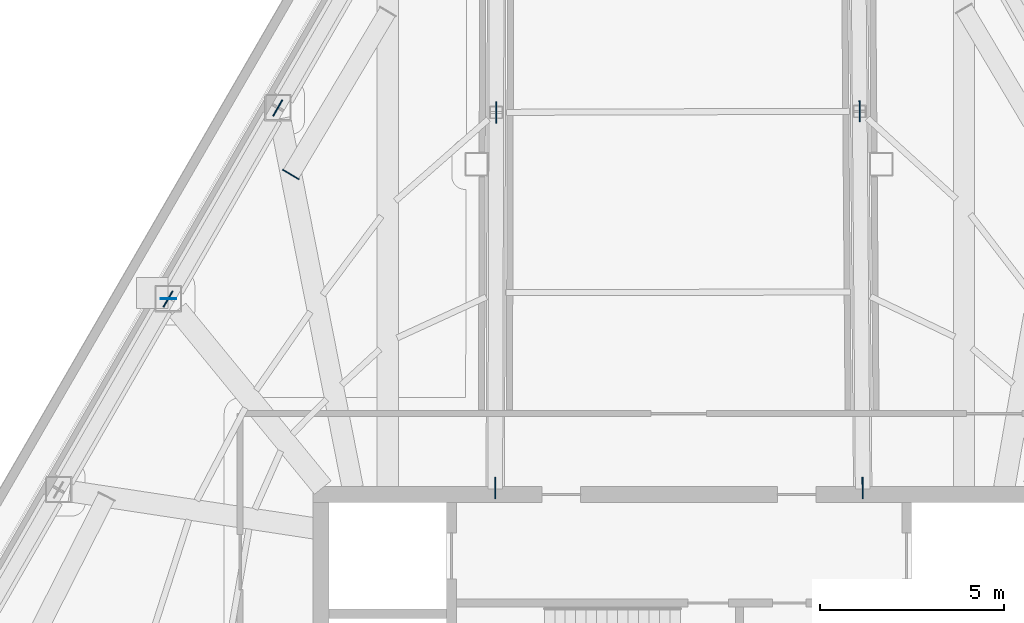
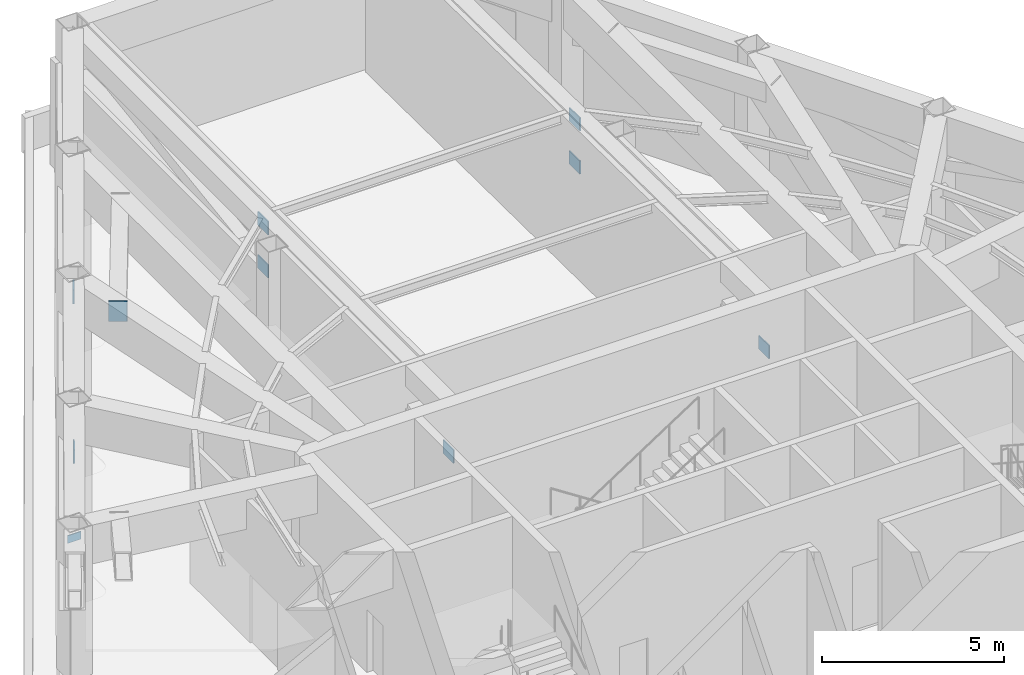
# One storey, part 6 of 13: 10 plates.
"""IFC4 building model written with IfcOpenShell, lengths in metres."""

from ifc_helpers import new_model, si_unit, direction, frame, origin, origin_2d, place, context, subcontext, project, spatial, rectangle, extrude, material, layer, layer_set, type_object, element, save


model = new_model("IFC4")

# Units and contexts
model_context = context("Model", 3, precision=1e-05, world=origin(), true_north=direction((0.0, 1.0)))
body_context = subcontext(model_context, "Body", "Model", "MODEL_VIEW")
ifc_project = project(units=[si_unit("LENGTHUNIT", "METRE"), si_unit("AREAUNIT", "SQUARE_METRE"), si_unit("VOLUMEUNIT", "CUBIC_METRE"), si_unit("PLANEANGLEUNIT", "RADIAN"), si_unit("MASSUNIT", "GRAM", prefix="KILO")], contexts=[model_context])

# Site, building, storey
site_placement = place(None, origin())
site = spatial("IfcSite", under=ifc_project, at=site_placement, CompositionType="ELEMENT")
building_placement = place(site_placement, origin())
building = spatial("IfcBuilding", under=site, at=building_placement, Name="Kavelnor Concourse Tower", CompositionType="ELEMENT")
storey_placement = place(building_placement, frame((0.0, 0.0, 154.800048828125)))
storey = spatial("IfcBuildingStorey", under=building, at=storey_placement, Name="L39", CompositionType="ELEMENT", Elevation=154.800048828125)

# Plates
ifc_material = material(Name="Steel Grade 350", Category="steel")
ifc_layer_1 = layer(ifc_material, 0.035888671875, Name="Steel Grade 350")
ifc_layer_set_1 = layer_set([ifc_layer_1], Name="Steel Grade 350")
plate_type_1 = type_object("IfcPlateType", Name="PL-GUSSET-OUTRIG", PredefinedType="USERDEFINED", material=ifc_layer_set_1)
for number, where, z_axis, x_axis, name in (
    (1, (33.001220703125, 23.0, 2.9599609375), (0.0, 0.0, 1.0), (0.002617990887, 0.999996573056, 0.0), "L39 Outrigger Truss Node Gusset Plate GP2 F0A-B0"),
    (2, (33.028076171875, 33.2158203125, 2.9599609375), (0.0, 0.0, 1.0), (0.002617990887, 0.999996573056, 0.0), "L39 Outrigger Truss Node Gusset Plate GP2 F0A-MB"),
    (3, (33.028076171875, 33.2158203125, 4.405029296875), (0.0, 0.0, 1.0), (0.002617990887, 0.999996573056, 0.0), "L39 Outrigger Truss Node Gusset Plate GP2 F0A-MT"),
    (4, (42.996826171875, 23.0, 2.9599609375), (0.0, 0.0, 1.0), (-0.007853900889, 0.999969157645, 0.0), "L39 Outrigger Truss Node Gusset Plate GP2 F2B-B0"),
    (5, (42.91650390625, 33.245849609375, 2.9599609375), (0.0, 0.0, 1.0), (-0.007853900889, 0.999969157645, 0.0), "L39 Outrigger Truss Node Gusset Plate GP2 F2B-MB"),
    (6, (42.91650390625, 33.245849609375, 4.405029296875), (0.0, 0.0, 1.0), (-0.007853900889, 0.999969157645, 0.0), "L39 Outrigger Truss Node Gusset Plate GP2 F2B-MT"),
):
    element("IfcPlate", number, at=place(storey_placement, frame(where, z_axis=z_axis, x_axis=x_axis)), inside=storey, type_object=plate_type_1, Name=name, ObjectType="GUSSET_PLATE", PredefinedType="USERDEFINED", context=body_context, shape_type="SweptSolid", body=[
        extrude(rectangle(XDim=0.580078125, YDim=0.035888671875, at=origin_2d()), origin(), (0.0, 0.0, 1.0), 0.43994140625),
    ])
for number, where, z_axis, x_axis, name in (
    (7, (27.0830078125, 33.333251953125, 4.10498046875), (0.0, 0.0, 1.0), (-0.498033765367, -0.867157637662, 0.0), "L39 Belt Truss Diagonal F0-B1 End Gusset B"),
    (8, (24.099853515625, 28.139404296875, 2.949951171875), (0.0, 0.0, 1.0), (0.498033765367, 0.867157637662, 0.0), "L39 Belt Truss Diagonal F0-B2 End Gusset A"),
):
    element("IfcPlate", number, at=place(storey_placement, frame(where, z_axis=z_axis, x_axis=x_axis)), inside=storey, type_object=plate_type_1, Name=name, ObjectType="GUSSET_PLATE", PredefinedType="USERDEFINED", context=body_context, shape_type="SweptSolid", body=[
        extrude(rectangle(XDim=0.5, YDim=0.035888671875, at=origin_2d()), origin(), (0.0, 0.0, 1.0), 0.4599609375),
    ])
ifc_layer_2 = layer(ifc_material, 0.02490234375, Name="Steel Grade 350")
ifc_layer_set_2 = layer_set([ifc_layer_2], Name="Steel Grade 350")
plate_type_2 = type_object("IfcPlateType", Name="PL-SPLICE-FLANGE", PredefinedType="SHEET", material=ifc_layer_set_2)
plate_1_placement = place(storey_placement, frame((24.105712890625, 28.149658203125, 0.169921875), z_axis=(0.0, 0.0, 1.0), x_axis=(1.0, 0.0, 0.0)))
element("IfcPlate", 9, at=plate_1_placement, inside=storey, type_object=plate_type_2, Name="L39 Column Flange Splice Plate F0-B3", PredefinedType="SHEET", context=body_context, shape_type="SweptSolid", body=[
    extrude(rectangle(XDim=0.419921875, YDim=0.02490234375, at=origin_2d()), origin(), (0.0, 0.0, 1.0), 0.260009765625),
])
plate_2_placement = place(storey_placement, frame((27.439208984375, 31.527099609375, 4.31494140625), z_axis=(0.0, 0.0, 1.0), x_axis=(0.859317160934, -0.511443073004, 0.0)))
element("IfcPlate", 10, at=plate_2_placement, inside=storey, type_object=plate_type_2, Name="L39 Belt Truss Chord End Cap F0-B1-B", PredefinedType="SHEET", context=body_context, shape_type="SweptSolid", body=[
    extrude(rectangle(XDim=0.52001953125, YDim=0.028076171875, at=origin_2d()), origin(), (0.0, 0.0, 1.0), 0.68994140625),
])

save(model, "model.ifc")
